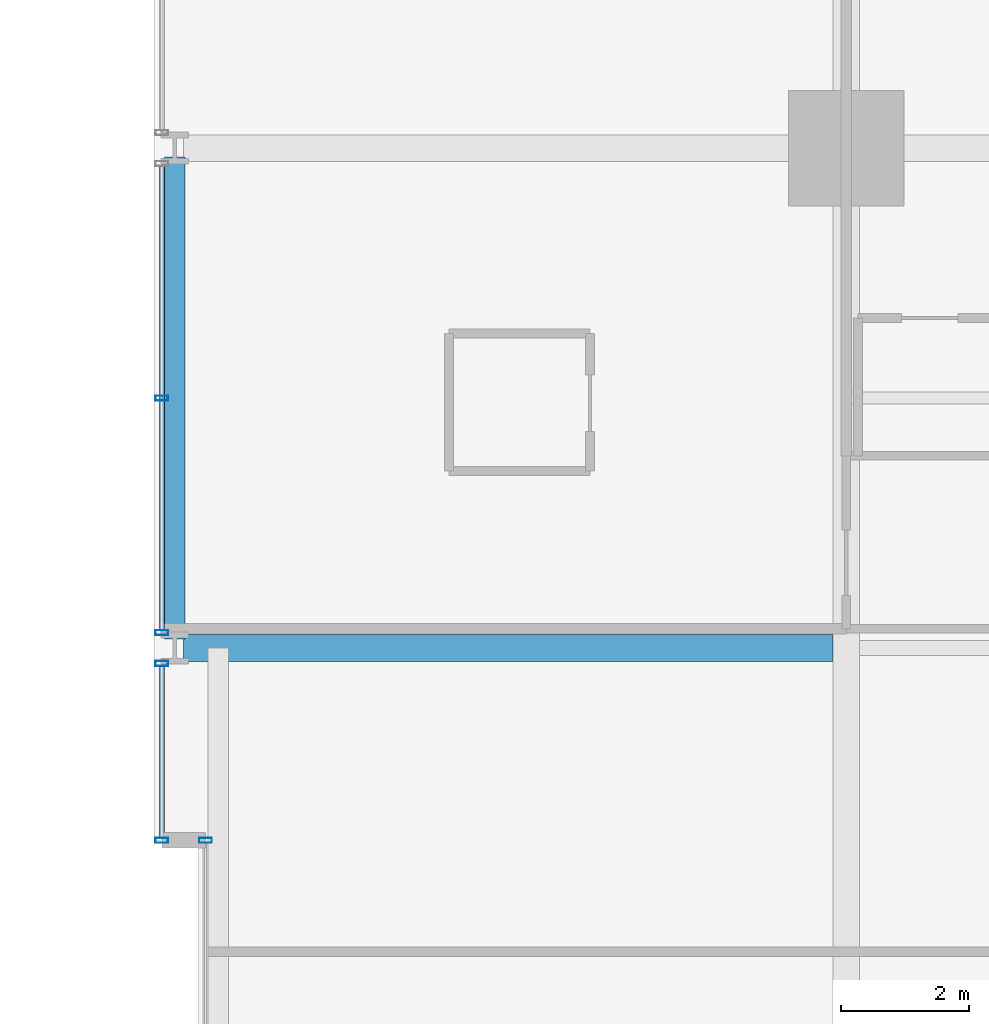
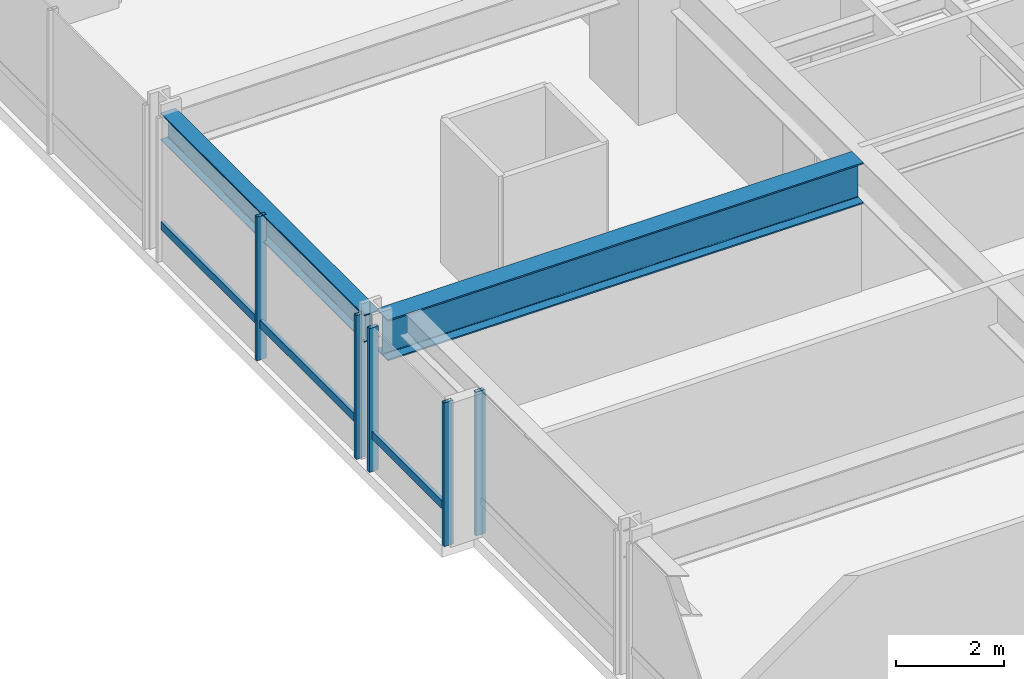
# One storey, part 17 of 39: 7 members, 2 beams, 3 elements without a shape of their own.
"""IFC4 building model written with IfcOpenShell, lengths in metres."""

from ifc_helpers import new_model, si_unit, direction, frame, origin, origin_2d, place, context, subcontext, project, spatial, hollow_rectangle, i_section, extrude, material, layer, layer_set, material_profile, profile_set, type_object, element, aggregate, save


model = new_model("IFC4")

# Units and contexts
model_context = context("Model", 3, precision=1e-05, world=origin(), true_north=direction((0.0, 1.0)))
body_context = subcontext(model_context, "Body", "Model", "MODEL_VIEW")
ifc_project = project(units=[si_unit("LENGTHUNIT", "METRE"), si_unit("AREAUNIT", "SQUARE_METRE"), si_unit("VOLUMEUNIT", "CUBIC_METRE"), si_unit("PLANEANGLEUNIT", "RADIAN"), si_unit("MASSUNIT", "GRAM", prefix="KILO")], contexts=[model_context])

# Site, building, storey
site_placement = place(None, origin())
site = spatial("IfcSite", under=ifc_project, at=site_placement, CompositionType="ELEMENT")
building_placement = place(site_placement, origin())
building = spatial("IfcBuilding", under=site, at=building_placement, Name="Drelvath Grand Hotel", CompositionType="ELEMENT")
storey_placement = place(building_placement, frame((0.0, 0.0, 54.199951171875)))
storey = spatial("IfcBuildingStorey", under=building, at=storey_placement, Name="L12", CompositionType="ELEMENT", Elevation=54.199951171875)

# Curtain wall, member
ifc_material_1 = material(Name="Warm Bronze Anodised Aluminium Frame", Category="aluminium")
ifc_layer = layer(ifc_material_1, 0.199951171875)
ifc_layer_set = layer_set([ifc_layer], Name="Warm Bronze Anodised Aluminium Frame")
curtain_wall_type = type_object("IfcCurtainWallType", Name="Stick Curtain Wall CW-02 Warm Bronze Low-Rise", PredefinedType="NOTDEFINED", material=ifc_layer_set)
curtain_wall_1_placement = place(storey_placement, origin())
curtain_wall_1 = element("IfcCurtainWall", 1, at=curtain_wall_1_placement, inside=storey, type_object=curtain_wall_type, Name="L12 CW-02 Curtain Wall CW02-L12-WN1", PredefinedType="NOTDEFINED")
ifc_material_profile_1 = material_profile(ifc_material_1, hollow_rectangle(XDim=0.074951171875, YDim=0.179931640625, WallThickness=0.0048828125, at=origin_2d()), Name="HSS180X75X5")
ifc_profile_set_1 = profile_set([ifc_material_profile_1], Name="Warm Bronze Anodised Aluminium Frame")
member_type_1 = type_object("IfcMemberType", Name="Curtain Wall Horizontal Transom CW-02 HSS180X75X5", PredefinedType="USERDEFINED", material=ifc_profile_set_1)
member_1_placement = place(storey_placement, frame((-26.8798828125, 32.43994140625, 0.81005859375), z_axis=(0.0, 1.0, 0.0), x_axis=(-1.0, 0.0, 0.0)))
member_1 = element("IfcMember", 2, at=member_1_placement, type_object=member_type_1, Name="CW02-L12-WN1 Sill Transom", ObjectType="TRANSOM", PredefinedType="USERDEFINED", context=body_context, shape_type="SweptSolid", body=[
    extrude(hollow_rectangle(XDim=0.074951171875, YDim=0.179931640625, WallThickness=0.0048828125, at=origin_2d()), origin(), (0.0, 0.0, 1.0), 2.67919921875),
])

curtain_wall_2_placement = place(storey_placement, origin())
curtain_wall_2 = element("IfcCurtainWall", 3, at=curtain_wall_2_placement, inside=storey, type_object=curtain_wall_type, Name="L12 CW-02 Curtain Wall CW02-L12-WN2", PredefinedType="NOTDEFINED")
member_2_placement = place(storey_placement, frame((-26.8798828125, 35.680908203125, 0.81005859375), z_axis=(0.0, 1.0, 0.0), x_axis=(-1.0, 0.0, 0.0)))
member_2 = element("IfcMember", 4, at=member_2_placement, type_object=member_type_1, Name="CW02-L12-WN2 Sill Transom", ObjectType="TRANSOM", PredefinedType="USERDEFINED", context=body_context, shape_type="SweptSolid", body=[
    extrude(hollow_rectangle(XDim=0.074951171875, YDim=0.179931640625, WallThickness=0.0048828125, at=origin_2d()), origin(), (0.0, 0.0, 1.0), 7.23828125),
])

curtain_wall_3_placement = place(storey_placement, origin())
curtain_wall_3 = element("IfcCurtainWall", 5, at=curtain_wall_3_placement, inside=storey, type_object=curtain_wall_type, Name="L12 CW-02 Curtain Wall CW02-L12-WM2", PredefinedType="NOTDEFINED")
ifc_material_profile_2 = material_profile(ifc_material_1, hollow_rectangle(XDim=0.080078125, YDim=0.199951171875, WallThickness=0.0048828125, at=origin_2d()), Name="HSS200X80X5")
ifc_profile_set_2 = profile_set([ifc_material_profile_2], Name="Warm Bronze Anodised Aluminium Frame")
member_type_2 = type_object("IfcMemberType", Name="Curtain Wall Vertical Mullion CW-02 HSS200X80X5", PredefinedType="MULLION", material=ifc_profile_set_2)
member_3_placement = place(storey_placement, frame((-26.199951171875, 32.39990234375, 0.0), z_axis=(0.0, 0.0, 1.0), x_axis=(0.0, 1.0, 0.0)))
member_3 = element("IfcMember", 6, at=member_3_placement, type_object=member_type_2, Name="CW02-L12-WM2 Mullion 2", PredefinedType="MULLION", context=body_context, shape_type="SweptSolid", body=[
    extrude(hollow_rectangle(XDim=0.080078125, YDim=0.199951171875, WallThickness=0.0048828125, at=origin_2d()), origin(), (0.0, 0.0, 1.0), 3.239990234375),
])
aggregate(curtain_wall_3, [member_3])

# Member
member_4_placement = place(storey_placement, frame((-26.8798828125, 32.39990234375, 0.0), z_axis=(0.0, 0.0, 1.0), x_axis=(0.0, 1.0, 0.0)))
member_4 = element("IfcMember", 7, at=member_4_placement, type_object=member_type_2, Name="CW02-L12-WN1 Mullion 1", PredefinedType="MULLION", context=body_context, shape_type="SweptSolid", body=[
    extrude(hollow_rectangle(XDim=0.080078125, YDim=0.199951171875, WallThickness=0.0048828125, at=origin_2d()), origin(), (0.0, 0.0, 1.0), 3.239990234375),
])

member_5_placement = place(storey_placement, frame((-26.8798828125, 35.1591796875, 0.0), z_axis=(0.0, 0.0, 1.0), x_axis=(0.0, 1.0, 0.0)))
member_5 = element("IfcMember", 8, at=member_5_placement, type_object=member_type_2, Name="CW02-L12-WN1 Mullion 2", PredefinedType="MULLION", context=body_context, shape_type="SweptSolid", body=[
    extrude(hollow_rectangle(XDim=0.080078125, YDim=0.199951171875, WallThickness=0.0048828125, at=origin_2d()), origin(), (0.0, 0.0, 1.0), 3.239990234375),
])

aggregate(curtain_wall_1, [member_4, member_5, member_1])

member_6_placement = place(storey_placement, frame((-26.8798828125, 35.640869140625, 0.0), z_axis=(0.0, 0.0, 1.0), x_axis=(0.0, 1.0, 0.0)))
member_6 = element("IfcMember", 9, at=member_6_placement, type_object=member_type_2, Name="CW02-L12-WN2 Mullion 1", PredefinedType="MULLION", context=body_context, shape_type="SweptSolid", body=[
    extrude(hollow_rectangle(XDim=0.080078125, YDim=0.199951171875, WallThickness=0.0048828125, at=origin_2d()), origin(), (0.0, 0.0, 1.0), 3.239990234375),
])

member_7_placement = place(storey_placement, frame((-26.8798828125, 39.300048828125, 0.0), z_axis=(0.0, 0.0, 1.0), x_axis=(0.0, 1.0, 0.0)))
member_7 = element("IfcMember", 10, at=member_7_placement, type_object=member_type_2, Name="CW02-L12-WN2 Mullion 2", PredefinedType="MULLION", context=body_context, shape_type="SweptSolid", body=[
    extrude(hollow_rectangle(XDim=0.080078125, YDim=0.199951171875, WallThickness=0.0048828125, at=origin_2d()), origin(), (0.0, 0.0, 1.0), 3.239990234375),
])

aggregate(curtain_wall_2, [member_6, member_7, member_2])

# Beams
ifc_material_2 = material(Name="Steel ASTM A992 Gr 50", Category="steel")
ifc_material_profile_3 = material_profile(ifc_material_2, i_section(OverallWidth=0.323974609375, OverallDepth=0.611083984375, WebThickness=0.0126953125, FlangeThickness=0.01904296875, FilletRadius=0.02197265625, at=origin_2d()), Name="W24X104")
ifc_profile_set_3 = profile_set([ifc_material_profile_3], Name="Steel ASTM A992 Gr 50")
beam_type_1 = type_object("IfcBeamType", Name="Perimeter Spandrel Beam W24X104", PredefinedType="SPANDREL", material=ifc_profile_set_3)
beam_1_placement = place(storey_placement, frame((-26.679931640625, 35.5400390625, 2.9345703125), z_axis=(0.0, 1.0, 0.0), x_axis=(-1.0, 0.0, 0.0)))
element("IfcBeam", 11, at=beam_1_placement, inside=storey, type_object=beam_type_1, Name="L12 Spandrel West N", PredefinedType="SPANDREL", context=body_context, shape_type="SweptSolid", body=[
    extrude(i_section(OverallWidth=0.323974609375, OverallDepth=0.611083984375, WebThickness=0.0126953125, FlangeThickness=0.01904296875, FilletRadius=0.02197265625, at=origin_2d()), origin(), (0.0, 0.0, 1.0), 7.52001953125),
])
ifc_material_profile_4 = material_profile(ifc_material_2, i_section(OverallWidth=0.418212890625, OverallDepth=0.926513671875, WebThickness=0.019287109375, FlangeThickness=0.031982421875, FilletRadius=0.028076171875, at=origin_2d()), Name="W36X231")
ifc_profile_set_4 = profile_set([ifc_material_profile_4], Name="Steel ASTM A992 Gr 50")
beam_type_2 = type_object("IfcBeamType", Name="Primary Floor Girder W36X231", PredefinedType="BEAM", material=ifc_profile_set_4)
beam_2_placement = place(storey_placement, frame((-26.5400390625, 35.39990234375, 2.77685546875), z_axis=(1.0, 0.0, 0.0), x_axis=(0.0, 1.0, 0.0)))
element("IfcBeam", 12, at=beam_2_placement, inside=storey, type_object=beam_type_2, Name="L12 West Wing Girder F", PredefinedType="BEAM", context=body_context, shape_type="SweptSolid", body=[
    extrude(i_section(OverallWidth=0.418212890625, OverallDepth=0.926513671875, WebThickness=0.019287109375, FlangeThickness=0.031982421875, FilletRadius=0.028076171875, at=origin_2d()), origin(), (0.0, 0.0, 1.0), 10.130859375),
])

save(model, "model.ifc")
